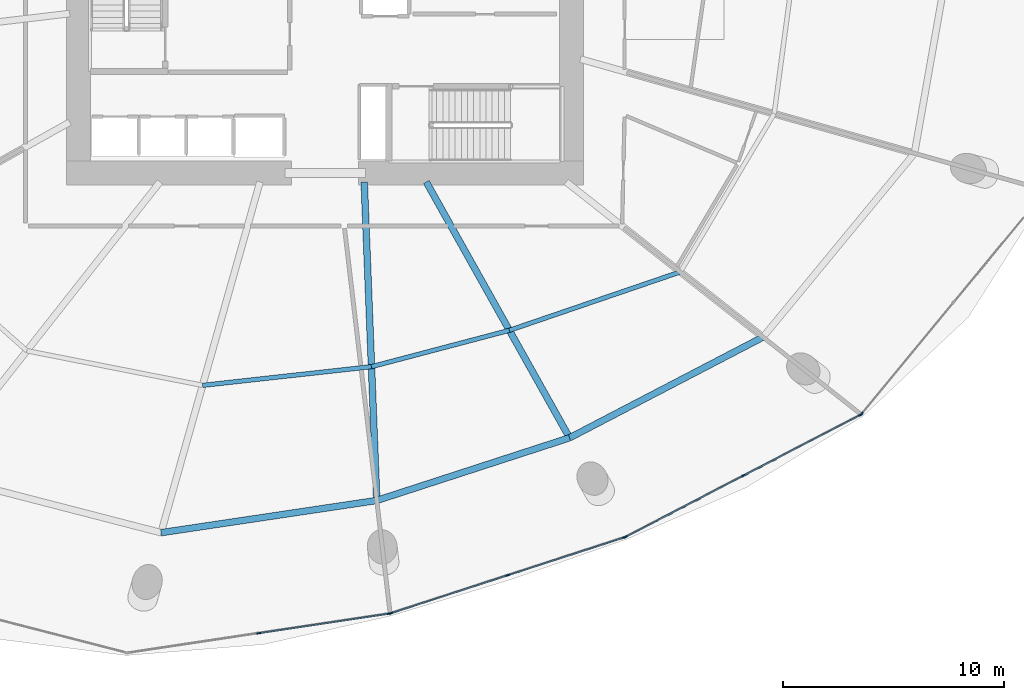
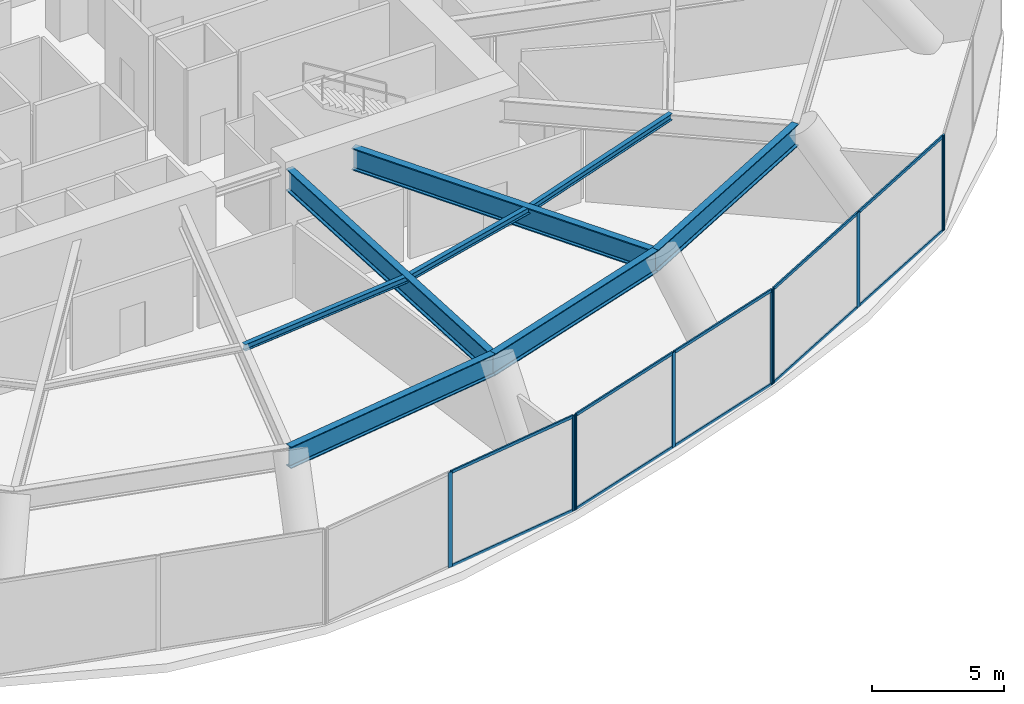
# One storey, part 9 of 21: 19 members, 8 beams, 4 elements without a shape of their own.
"""IFC4 building model written with IfcOpenShell, lengths in metres."""

from ifc_helpers import new_model, si_unit, direction, frame, origin, origin_2d, place, context, subcontext, project, spatial, rectangle, i_section, extrude, material, layer, layer_set, material_profile, profile_set, type_object, element, aggregate, save


model = new_model("IFC4")

# Units and contexts
model_context = context("Model", 3, precision=1e-05, world=origin(), true_north=direction((0.0, 1.0)))
body_context = subcontext(model_context, "Body", "Model", "MODEL_VIEW")
ifc_project = project(units=[si_unit("LENGTHUNIT", "METRE"), si_unit("AREAUNIT", "SQUARE_METRE"), si_unit("VOLUMEUNIT", "CUBIC_METRE"), si_unit("PLANEANGLEUNIT", "RADIAN"), si_unit("MASSUNIT", "GRAM", prefix="KILO")], contexts=[model_context])

# Site, building, storey
site_placement = place(None, origin())
site = spatial("IfcSite", under=ifc_project, at=site_placement, CompositionType="ELEMENT")
building_placement = place(site_placement, origin())
building = spatial("IfcBuilding", under=site, at=building_placement, Name="Kazma Halo Residences", CompositionType="ELEMENT")
storey_placement = place(building_placement, frame((0.0, 0.0, 21.60009765625)))
storey = spatial("IfcBuildingStorey", under=building, at=storey_placement, Name="L04", CompositionType="ELEMENT", Elevation=21.60009765625)

# Beams
ifc_material_1 = material(Name="Steel S355", Category="steel")
ifc_material_profile_1 = material_profile(ifc_material_1, i_section(OverallWidth=0.202880859375, OverallDepth=0.302978515625, WebThickness=0.007568359375, FlangeThickness=0.01318359375, FilletRadius=0.013916015625, at=origin_2d()), Name="W310x60")
ifc_profile_set_1 = profile_set([ifc_material_profile_1], Name="Steel S355")
beam_type_1 = type_object("IfcBeamType", Name="BM-SEC-W310A", PredefinedType="JOIST", material=ifc_profile_set_1)
beam_1_placement = place(storey_placement, frame((42.875, 23.828369140625, 4.248291015625), z_axis=(0.993938124759, 0.109940912087, 0.0), x_axis=(-0.109940912087, 0.993938124759, 0.0)))
element("IfcBeam", 1, at=beam_1_placement, inside=storey, type_object=beam_type_1, Name="L04 circumferential floor joist 11", PredefinedType="JOIST", context=body_context, shape_type="SweptSolid", body=[
    extrude(i_section(OverallWidth=0.202880859375, OverallDepth=0.302978515625, WebThickness=0.007568359375, FlangeThickness=0.01318359375, FilletRadius=0.013916015625, at=origin_2d()), origin(), (0.0, 0.0, 1.0), 7.701171875),
])
beam_2_placement = place(storey_placement, frame((50.529541015625, 24.675048828125, 4.248291015625), z_axis=(0.966982492228, 0.25484281376, 0.0), x_axis=(-0.25484281376, 0.966982492228, 0.0)))
element("IfcBeam", 2, at=beam_2_placement, inside=storey, type_object=beam_type_1, Name="L04 circumferential floor joist 12", PredefinedType="JOIST", context=body_context, shape_type="SweptSolid", body=[
    extrude(i_section(OverallWidth=0.202880859375, OverallDepth=0.302978515625, WebThickness=0.007568359375, FlangeThickness=0.01318359375, FilletRadius=0.013916015625, at=origin_2d()), origin(), (0.0, 0.0, 1.0), 6.463623046875),
])
beam_3_placement = place(storey_placement, frame((56.77978515625, 26.322265625, 4.248291015625), z_axis=(0.94627110473, 0.323374390381, 0.0), x_axis=(-0.323374390381, 0.94627110473, 0.0)))
element("IfcBeam", 3, at=beam_3_placement, inside=storey, type_object=beam_type_1, Name="L04 circumferential floor joist 13", PredefinedType="JOIST", context=body_context, shape_type="SweptSolid", body=[
    extrude(i_section(OverallWidth=0.202880859375, OverallDepth=0.302978515625, WebThickness=0.007568359375, FlangeThickness=0.01318359375, FilletRadius=0.013916015625, at=origin_2d()), origin(), (0.0, 0.0, 1.0), 8.1884765625),
])
ifc_material_profile_2 = material_profile(ifc_material_1, i_section(OverallWidth=0.302001953125, OverallDepth=1.01806640625, WebThickness=0.021484375, FlangeThickness=0.049072265625, FilletRadius=0.028076171875, at=origin_2d()), Name="W1000x443")
ifc_profile_set_2 = profile_set([ifc_material_profile_2], Name="Steel S355")
beam_type_2 = type_object("IfcBeamType", Name="BM-TRANS-W1000A", PredefinedType="BEAM", material=ifc_profile_set_2)
beam_4_placement = place(storey_placement, frame((50.199951171875, 33.050048828125, 3.890869140625), z_axis=(0.039331101551, -0.999226232868, 0.0), x_axis=(0.999226232868, 0.039331101551, 0.0)))
element("IfcBeam", 4, at=beam_4_placement, inside=storey, type_object=beam_type_2, Name="L04 podium radial transfer girder 12", PredefinedType="BEAM", context=body_context, shape_type="SweptSolid", body=[
    extrude(i_section(OverallWidth=0.302001953125, OverallDepth=1.01806640625, WebThickness=0.021484375, FlangeThickness=0.049072265625, FilletRadius=0.028076171875, at=origin_2d()), origin(), (0.0, 0.0, 1.0), 14.45068359375),
])
beam_5_placement = place(storey_placement, frame((53.01220703125, 33.050048828125, 3.890869140625), z_axis=(0.48862126281, -0.872495995137, 0.0), x_axis=(0.872495995137, 0.48862126281, 0.0)))
element("IfcBeam", 5, at=beam_5_placement, inside=storey, type_object=beam_type_2, Name="L04 podium radial transfer girder 13", PredefinedType="BEAM", context=body_context, shape_type="SweptSolid", body=[
    extrude(i_section(OverallWidth=0.302001953125, OverallDepth=1.01806640625, WebThickness=0.021484375, FlangeThickness=0.049072265625, FilletRadius=0.028076171875, at=origin_2d()), origin(), (0.0, 0.0, 1.0), 13.294677734375),
])
ifc_material_profile_3 = material_profile(ifc_material_1, i_section(OverallWidth=0.300048828125, OverallDepth=1.0, WebThickness=0.01904296875, FlangeThickness=0.0400390625, FilletRadius=0.02587890625, at=origin_2d()), Name="W1000x371")
ifc_profile_set_3 = profile_set([ifc_material_profile_3], Name="Steel S355")
beam_type_3 = type_object("IfcBeamType", Name="BM-TRANS-W1000B", PredefinedType="BEAM", material=ifc_profile_set_3)
beam_6_placement = place(storey_placement, frame((40.99169921875, 17.150634765625, 3.89990234375), z_axis=(0.989033061974, 0.147694286693, 0.0), x_axis=(-0.147694286693, 0.989033061974, 0.0)))
element("IfcBeam", 6, at=beam_6_placement, inside=storey, type_object=beam_type_3, Name="L04 perimeter ring beam 11", PredefinedType="BEAM", context=body_context, shape_type="SweptSolid", body=[
    extrude(i_section(OverallWidth=0.300048828125, OverallDepth=1.0, WebThickness=0.01904296875, FlangeThickness=0.0400390625, FilletRadius=0.02587890625, at=origin_2d()), origin(), (0.0, 0.0, 1.0), 9.885009765625),
])
beam_7_placement = place(storey_placement, frame((50.768310546875, 18.610595703125, 3.89990234375), z_axis=(0.951054956346, 0.309021795363, 0.0), x_axis=(-0.309021795363, 0.951054956346, 0.0)))
element("IfcBeam", 7, at=beam_7_placement, inside=storey, type_object=beam_type_3, Name="L04 perimeter ring beam 12", PredefinedType="BEAM", context=body_context, shape_type="SweptSolid", body=[
    extrude(i_section(OverallWidth=0.300048828125, OverallDepth=1.0, WebThickness=0.01904296875, FlangeThickness=0.0400390625, FilletRadius=0.02587890625, at=origin_2d()), origin(), (0.0, 0.0, 1.0), 9.189697265625),
])
beam_8_placement = place(storey_placement, frame((59.50830078125, 21.450439453125, 3.89990234375), z_axis=(0.886956241699, 0.461853467358, 0.0), x_axis=(-0.461853467358, 0.886956241699, 0.0)))
element("IfcBeam", 8, at=beam_8_placement, inside=storey, type_object=beam_type_3, Name="L04 perimeter ring beam 13", PredefinedType="BEAM", context=body_context, shape_type="SweptSolid", body=[
    extrude(i_section(OverallWidth=0.300048828125, OverallDepth=1.0, WebThickness=0.01904296875, FlangeThickness=0.0400390625, FilletRadius=0.02587890625, at=origin_2d()), origin(), (0.0, 0.0, 1.0), 9.885009765625),
])

# Curtain wall, members
ifc_material_2 = material(Name="Aluminium AW-6063 T6 and Triple-Silver Low-E Glass", Category="aluminium")
ifc_layer = layer(ifc_material_2, 0.179931640625)
ifc_layer_set = layer_set([ifc_layer], Name="Aluminium AW-6063 T6 and Triple-Silver Low-E Glass")
curtain_wall_type = type_object("IfcCurtainWallType", Name="CW-SYS-1", PredefinedType="NOTDEFINED", material=ifc_layer_set)
curtain_wall_1_placement = place(storey_placement, origin())
curtain_wall_1 = element("IfcCurtainWall", 9, at=curtain_wall_1_placement, inside=storey, type_object=curtain_wall_type, Name="L04 unitised curtain wall B11", PredefinedType="NOTDEFINED")
ifc_material_3 = material(Name="Aluminium AW-6063 T6", Category="aluminium")
ifc_material_profile_4 = material_profile(ifc_material_3, rectangle(XDim=0.06494140625, YDim=0.179931640625, at=origin_2d()), Name="CWM-65x180")
ifc_profile_set_4 = profile_set([ifc_material_profile_4], Name="Aluminium AW-6063 T6")
member_type_1 = type_object("IfcMemberType", Name="CW-SYS-1-MUL", PredefinedType="MULLION", material=ifc_profile_set_4)
member_1_placement = place(storey_placement, frame((45.414306640625, 12.59423828125, 0.0), z_axis=(0.0, 0.0, 1.0), x_axis=(-0.148548966342, 0.988905053379, 0.0)))
member_1 = element("IfcMember", 10, at=member_1_placement, type_object=member_type_1, Name="CWS-1 mullion 2", PredefinedType="MULLION", context=body_context, shape_type="SweptSolid", body=[
    extrude(rectangle(XDim=0.06494140625, YDim=0.179931640625, at=origin_2d()), origin(), (0.0, 0.0, 1.0), 4.39990234375),
])
member_2_placement = place(storey_placement, frame((51.34228515625, 13.484619140625, 0.0), z_axis=(0.0, 0.0, 1.0), x_axis=(-0.148548966342, 0.988905053379, 0.0)))
member_2 = element("IfcMember", 11, at=member_2_placement, type_object=member_type_1, Name="CWS-1 mullion 3", PredefinedType="MULLION", context=body_context, shape_type="SweptSolid", body=[
    extrude(rectangle(XDim=0.06494140625, YDim=0.179931640625, at=origin_2d()), origin(), (0.0, 0.0, 1.0), 4.39990234375),
])

curtain_wall_2_placement = place(storey_placement, origin())
curtain_wall_2 = element("IfcCurtainWall", 12, at=curtain_wall_2_placement, inside=storey, type_object=curtain_wall_type, Name="L04 unitised curtain wall B12", PredefinedType="NOTDEFINED")
member_3_placement = place(storey_placement, frame((51.4052734375, 13.49951171875, 0.0), z_axis=(0.0, 0.0, 1.0), x_axis=(-0.309017239211, 0.951056436743, 0.0)))
member_3 = element("IfcMember", 13, at=member_3_placement, type_object=member_type_1, Name="CWS-1 mullion 1", PredefinedType="MULLION", context=body_context, shape_type="SweptSolid", body=[
    extrude(rectangle(XDim=0.06494140625, YDim=0.179931640625, at=origin_2d()), origin(), (0.0, 0.0, 1.0), 4.39990234375),
])
member_4_placement = place(storey_placement, frame((56.701171875, 15.22021484375, 0.0), z_axis=(0.0, 0.0, 1.0), x_axis=(-0.309017239211, 0.951056436743, 0.0)))
member_4 = element("IfcMember", 14, at=member_4_placement, type_object=member_type_1, Name="CWS-1 mullion 2", PredefinedType="MULLION", context=body_context, shape_type="SweptSolid", body=[
    extrude(rectangle(XDim=0.06494140625, YDim=0.179931640625, at=origin_2d()), origin(), (0.0, 0.0, 1.0), 4.39990234375),
])
member_5_placement = place(storey_placement, frame((61.9970703125, 16.941162109375, 0.0), z_axis=(0.0, 0.0, 1.0), x_axis=(-0.309017239211, 0.951056436743, 0.0)))
member_5 = element("IfcMember", 15, at=member_5_placement, type_object=member_type_1, Name="CWS-1 mullion 3", PredefinedType="MULLION", context=body_context, shape_type="SweptSolid", body=[
    extrude(rectangle(XDim=0.06494140625, YDim=0.179931640625, at=origin_2d()), origin(), (0.0, 0.0, 1.0), 4.39990234375),
])

curtain_wall_3_placement = place(storey_placement, origin())
curtain_wall_3 = element("IfcCurtainWall", 16, at=curtain_wall_3_placement, inside=storey, type_object=curtain_wall_type, Name="L04 unitised curtain wall B13", PredefinedType="NOTDEFINED")
member_6_placement = place(storey_placement, frame((62.056884765625, 16.966064453125, 0.0), z_axis=(0.0, 0.0, 1.0), x_axis=(-0.46108680311, 0.887355036047, 0.0)))
member_6 = element("IfcMember", 17, at=member_6_placement, type_object=member_type_1, Name="CWS-1 mullion 1", PredefinedType="MULLION", context=body_context, shape_type="SweptSolid", body=[
    extrude(rectangle(XDim=0.06494140625, YDim=0.179931640625, at=origin_2d()), origin(), (0.0, 0.0, 1.0), 4.39990234375),
])
member_7_placement = place(storey_placement, frame((67.376220703125, 19.72998046875, 0.0), z_axis=(0.0, 0.0, 1.0), x_axis=(-0.46108680311, 0.887355036047, 0.0)))
member_7 = element("IfcMember", 18, at=member_7_placement, type_object=member_type_1, Name="CWS-1 mullion 2", PredefinedType="MULLION", context=body_context, shape_type="SweptSolid", body=[
    extrude(rectangle(XDim=0.06494140625, YDim=0.179931640625, at=origin_2d()), origin(), (0.0, 0.0, 1.0), 4.39990234375),
])
member_8_placement = place(storey_placement, frame((72.6953125, 22.493896484375, 0.0), z_axis=(0.0, 0.0, 1.0), x_axis=(-0.46108680311, 0.887355036047, 0.0)))
member_8 = element("IfcMember", 19, at=member_8_placement, type_object=member_type_1, Name="CWS-1 mullion 3", PredefinedType="MULLION", context=body_context, shape_type="SweptSolid", body=[
    extrude(rectangle(XDim=0.06494140625, YDim=0.179931640625, at=origin_2d()), origin(), (0.0, 0.0, 1.0), 4.39990234375),
])

# Curtain wall, member
curtain_wall_4_placement = place(storey_placement, origin())
curtain_wall_4 = element("IfcCurtainWall", 20, at=curtain_wall_4_placement, inside=storey, type_object=curtain_wall_type, Name="L04 unitised curtain wall B14", PredefinedType="NOTDEFINED")
member_9_placement = place(storey_placement, frame((72.744873046875, 22.5341796875, 0.0), z_axis=(0.0, 0.0, 1.0), x_axis=(-0.771191775002, 0.636602895194, 0.0)))
member_9 = element("IfcMember", 21, at=member_9_placement, type_object=member_type_1, Name="CWS-1 mullion 1", PredefinedType="MULLION", context=body_context, shape_type="SweptSolid", body=[
    extrude(rectangle(XDim=0.06494140625, YDim=0.179931640625, at=origin_2d()), origin(), (0.0, 0.0, 1.0), 4.39990234375),
])
aggregate(curtain_wall_4, [member_9])

# Member
ifc_material_profile_5 = material_profile(ifc_material_3, rectangle(XDim=0.06494140625, YDim=0.135009765625, at=origin_2d()), Name="CWT-65x135")
ifc_profile_set_5 = profile_set([ifc_material_profile_5], Name="Aluminium AW-6063 T6")
member_type_2 = type_object("IfcMemberType", Name="CW-SYS-1-TRN", PredefinedType="USERDEFINED", material=ifc_profile_set_5)
member_10_placement = place(storey_placement, frame((45.446533203125, 12.59912109375, 0.032470703125), z_axis=(0.988909456852, 0.148519649035, 0.0), x_axis=(-0.148519649035, 0.988909456852, 0.0)))
member_10 = element("IfcMember", 22, at=member_10_placement, type_object=member_type_2, Name="CWS-1 transom 2.1", ObjectType="TRANSOM", PredefinedType="USERDEFINED", context=body_context, shape_type="SweptSolid", body=[
    extrude(rectangle(XDim=0.06494140625, YDim=0.135009765625, at=origin_2d()), origin(), (0.0, 0.0, 1.0), 5.92919921875),
])

member_11_placement = place(storey_placement, frame((45.446533203125, 12.59912109375, 4.367431640625), z_axis=(0.988909456852, 0.148519649035, 0.0), x_axis=(-0.148519649035, 0.988909456852, 0.0)))
member_11 = element("IfcMember", 23, at=member_11_placement, type_object=member_type_2, Name="CWS-1 transom 2.2", ObjectType="TRANSOM", PredefinedType="USERDEFINED", context=body_context, shape_type="SweptSolid", body=[
    extrude(rectangle(XDim=0.06494140625, YDim=0.135009765625, at=origin_2d()), origin(), (0.0, 0.0, 1.0), 5.92919921875),
])

aggregate(curtain_wall_1, [member_1, member_2, member_10, member_11])

member_12_placement = place(storey_placement, frame((51.436279296875, 13.509521484375, 0.032470703125), z_axis=(0.951055908328, 0.309018865498, 0.0), x_axis=(-0.309018865498, 0.951055908328, 0.0)))
member_12 = element("IfcMember", 24, at=member_12_placement, type_object=member_type_2, Name="CWS-1 transom 1.1", ObjectType="TRANSOM", PredefinedType="USERDEFINED", context=body_context, shape_type="SweptSolid", body=[
    extrude(rectangle(XDim=0.06494140625, YDim=0.135009765625, at=origin_2d()), origin(), (0.0, 0.0, 1.0), 5.50341796875),
])

member_13_placement = place(storey_placement, frame((51.436279296875, 13.509521484375, 4.367431640625), z_axis=(0.951055908328, 0.309018865498, 0.0), x_axis=(-0.309018865498, 0.951055908328, 0.0)))
member_13 = element("IfcMember", 25, at=member_13_placement, type_object=member_type_2, Name="CWS-1 transom 1.2", ObjectType="TRANSOM", PredefinedType="USERDEFINED", context=body_context, shape_type="SweptSolid", body=[
    extrude(rectangle(XDim=0.06494140625, YDim=0.135009765625, at=origin_2d()), origin(), (0.0, 0.0, 1.0), 5.50341796875),
])

member_14_placement = place(storey_placement, frame((56.732177734375, 15.230224609375, 0.032470703125), z_axis=(0.951055908328, 0.309018865498, 0.0), x_axis=(-0.309018865498, 0.951055908328, 0.0)))
member_14 = element("IfcMember", 26, at=member_14_placement, type_object=member_type_2, Name="CWS-1 transom 2.1", ObjectType="TRANSOM", PredefinedType="USERDEFINED", context=body_context, shape_type="SweptSolid", body=[
    extrude(rectangle(XDim=0.06494140625, YDim=0.135009765625, at=origin_2d()), origin(), (0.0, 0.0, 1.0), 5.50341796875),
])

member_15_placement = place(storey_placement, frame((56.732177734375, 15.230224609375, 4.367431640625), z_axis=(0.951055908328, 0.309018865498, 0.0), x_axis=(-0.309018865498, 0.951055908328, 0.0)))
member_15 = element("IfcMember", 27, at=member_15_placement, type_object=member_type_2, Name="CWS-1 transom 2.2", ObjectType="TRANSOM", PredefinedType="USERDEFINED", context=body_context, shape_type="SweptSolid", body=[
    extrude(rectangle(XDim=0.06494140625, YDim=0.135009765625, at=origin_2d()), origin(), (0.0, 0.0, 1.0), 5.50341796875),
])

aggregate(curtain_wall_2, [member_3, member_4, member_5, member_12, member_13, member_14, member_15])

member_16_placement = place(storey_placement, frame((62.085693359375, 16.98095703125, 0.032470703125), z_axis=(0.887352259256, 0.461092146966, 0.0), x_axis=(-0.461092146966, 0.887352259256, 0.0)))
member_16 = element("IfcMember", 28, at=member_16_placement, type_object=member_type_2, Name="CWS-1 transom 1.1", ObjectType="TRANSOM", PredefinedType="USERDEFINED", context=body_context, shape_type="SweptSolid", body=[
    extrude(rectangle(XDim=0.06494140625, YDim=0.135009765625, at=origin_2d()), origin(), (0.0, 0.0, 1.0), 5.9296875),
])

member_17_placement = place(storey_placement, frame((62.085693359375, 16.98095703125, 4.367431640625), z_axis=(0.887352259256, 0.461092146966, 0.0), x_axis=(-0.461092146966, 0.887352259256, 0.0)))
member_17 = element("IfcMember", 29, at=member_17_placement, type_object=member_type_2, Name="CWS-1 transom 1.2", ObjectType="TRANSOM", PredefinedType="USERDEFINED", context=body_context, shape_type="SweptSolid", body=[
    extrude(rectangle(XDim=0.06494140625, YDim=0.135009765625, at=origin_2d()), origin(), (0.0, 0.0, 1.0), 5.9296875),
])

member_18_placement = place(storey_placement, frame((67.405029296875, 19.7451171875, 0.032470703125), z_axis=(0.887360351848, 0.461076572781, 0.0), x_axis=(-0.461076572781, 0.887360351848, 0.0)))
member_18 = element("IfcMember", 30, at=member_18_placement, type_object=member_type_2, Name="CWS-1 transom 2.1", ObjectType="TRANSOM", PredefinedType="USERDEFINED", context=body_context, shape_type="SweptSolid", body=[
    extrude(rectangle(XDim=0.06494140625, YDim=0.135009765625, at=origin_2d()), origin(), (0.0, 0.0, 1.0), 5.929443359375),
])

member_19_placement = place(storey_placement, frame((67.405029296875, 19.7451171875, 4.367431640625), z_axis=(0.887360351848, 0.461076572781, 0.0), x_axis=(-0.461076572781, 0.887360351848, 0.0)))
member_19 = element("IfcMember", 31, at=member_19_placement, type_object=member_type_2, Name="CWS-1 transom 2.2", ObjectType="TRANSOM", PredefinedType="USERDEFINED", context=body_context, shape_type="SweptSolid", body=[
    extrude(rectangle(XDim=0.06494140625, YDim=0.135009765625, at=origin_2d()), origin(), (0.0, 0.0, 1.0), 5.929443359375),
])

aggregate(curtain_wall_3, [member_6, member_7, member_8, member_16, member_17, member_18, member_19])

save(model, "model.ifc")
